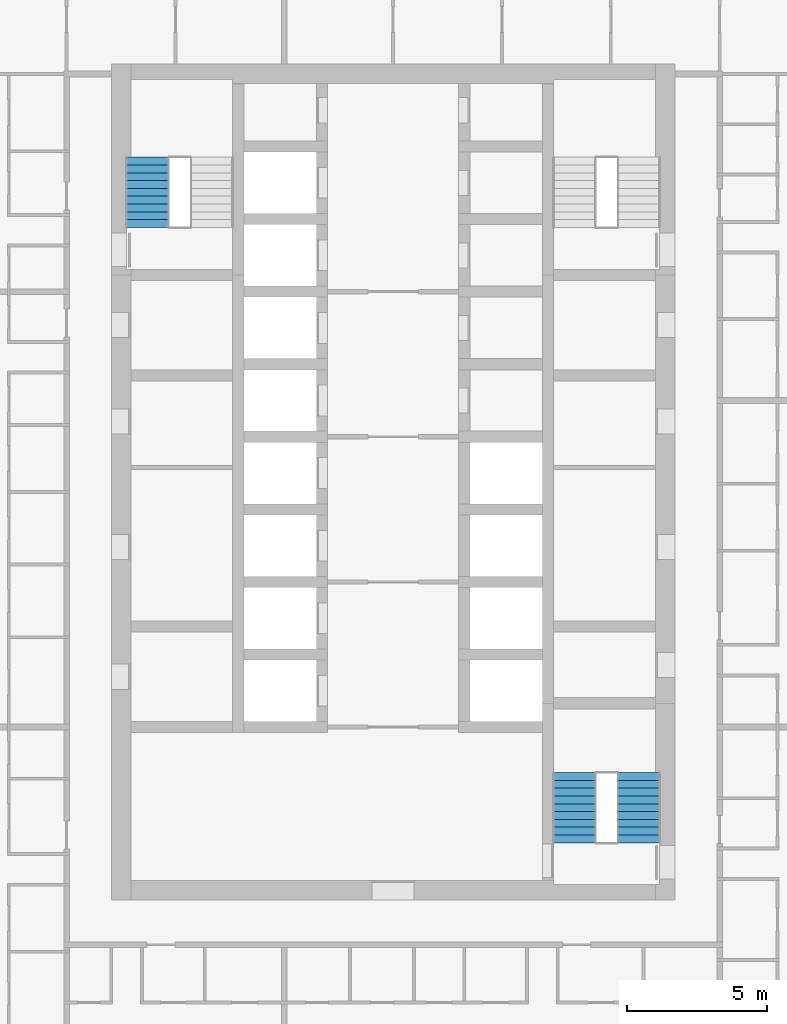
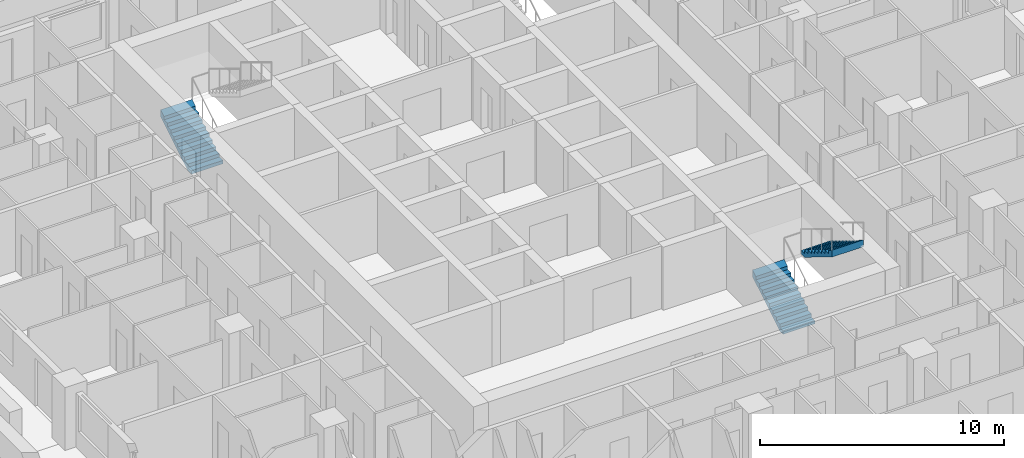
# One storey, part 14 of 17: 3 stair flights, 2 elements without a shape of their own.
"""IFC4 building model written with IfcOpenShell, lengths in metres."""

import ifcopenshell
import ifcopenshell.guid

model = None  # the IFC model being written
_history = None  # IfcOwnerHistory: only IFC2X3 demands one
_inside = {}  # id of a spatial element -> (the spatial element, [elements in it])
_under = {}  # id of a project, library or spatial element -> (it, [spatial elements below it])
_declared = {}  # id of a project -> (the project, [libraries it declares])
_typed = {}  # id of a type object -> (the type object, [elements of that type])
_made_of = {}  # id of a material, layer set ... -> (it, [elements and type objects made of it])


def new_model(schema):
    """Start an empty IFC model of exactly this schema.

    Asked for "IFC4X3", IfcOpenShell would pick the latest addendum, in which some entities
    have other attributes; the version numbers below select the first issue.
    IFC2X3 requires an IfcOwnerHistory on every rooted entity: one is made here for all.
    """
    global model, _history
    if schema == "IFC4X3":
        model = ifcopenshell.file(schema_version=(4, 3, 0, 0))
    else:
        model = ifcopenshell.file(schema=schema)
    _inside.clear()
    _under.clear()
    _declared.clear()
    _typed.clear()
    _made_of.clear()
    _history = None
    if model.schema == "IFC2X3":
        org = make("IfcOrganization", Name="unknown")
        user = make(
            "IfcPersonAndOrganization",
            ThePerson=make("IfcPerson", FamilyName="unknown"),
            TheOrganization=org,
        )
        app = make(
            "IfcApplication",
            ApplicationDeveloper=org,
            Version="unknown",
            ApplicationFullName="unknown",
            ApplicationIdentifier="unknown",
        )
        _history = make(
            "IfcOwnerHistory",
            OwningUser=user,
            OwningApplication=app,
            ChangeAction="ADDED",
            CreationDate=0,
        )
    return model


def make(cls, **values):
    """One entity of the class cls with the attributes given. An attribute that is None is left unset."""
    return model.create_entity(
        cls, **{name: value for name, value in values.items() if value is not None}
    )


def rooted(cls, **values):
    """An entity with a GlobalId (a new one), such as an element, a storey or a relation."""
    return make(cls, GlobalId=ifcopenshell.guid.new(), OwnerHistory=_history, **values)


def si_unit(unit_type, name, prefix=None):
    """IfcSIUnit, for example si_unit("LENGTHUNIT", "METRE", prefix="MILLI")."""
    return make("IfcSIUnit", UnitType=unit_type, Prefix=prefix, Name=name)


def assignment(units):
    """IfcUnitAssignment: the units of a project."""
    return None if units is None else make("IfcUnitAssignment", Units=units)


def point(xyz):
    """IfcCartesianPoint."""
    return None if xyz is None else make("IfcCartesianPoint", Coordinates=xyz)


def direction(xyz):
    """IfcDirection."""
    return None if xyz is None else make("IfcDirection", DirectionRatios=xyz)


def frame(location, z_axis=None, x_axis=None):
    """IfcAxis2Placement3D, a coordinate frame: its origin and axes. An axis left out is left unset."""
    return make(
        "IfcAxis2Placement3D",
        Location=point(location),
        Axis=direction(z_axis),
        RefDirection=direction(x_axis),
    )


def origin():
    """The frame at (0, 0, 0) with its axes left unset."""
    return frame((0.0, 0.0, 0.0))


def place(relative_to, where):
    """IfcLocalPlacement: puts the frame where relative to a parent placement (None: the world)."""
    return make(
        "IfcLocalPlacement", PlacementRelTo=relative_to, RelativePlacement=where
    )


def context(
    kind, dimensions, precision=None, world=None, true_north=None, identifier=None
):
    """IfcGeometricRepresentationContext, for example the 3D "Model" context."""
    return make(
        "IfcGeometricRepresentationContext",
        ContextIdentifier=identifier,
        ContextType=kind,
        CoordinateSpaceDimension=dimensions,
        Precision=precision,
        WorldCoordinateSystem=world,
        TrueNorth=true_north,
    )


def subcontext(parent, identifier, kind, view, scale=None):
    """IfcGeometricRepresentationSubContext, for example "Body" below "Model"."""
    return make(
        "IfcGeometricRepresentationSubContext",
        ContextIdentifier=identifier,
        ContextType=kind,
        ParentContext=parent,
        TargetScale=scale,
        TargetView=view,
    )


def project(units=None, contexts=None):
    """IfcProject with its units and contexts."""
    return rooted(
        "IfcProject",
        Name="project",
        RepresentationContexts=contexts,
        UnitsInContext=assignment(units),
    )


def spatial(cls, under=None, at=None, **own):
    """A site, building, storey or space (cls), placed at a placement, below another one or the project."""
    s = rooted(cls, ObjectPlacement=at, **own)
    if under is not None:
        _under.setdefault(under.id(), (under, []))[1].append(s)
    return s


def point_list(points):
    """IfcCartesianPointList2D or 3D."""
    cls = (
        "IfcCartesianPointList2D" if len(points[0]) == 2 else "IfcCartesianPointList3D"
    )
    return make(cls, CoordList=points)


def triangles(points, corners, closed=None, point_numbers=None):
    """IfcTriangulatedFaceSet: each triangle names its three corners, points numbered from 1."""
    return make(
        "IfcTriangulatedFaceSet",
        Coordinates=point_list(points),
        Closed=closed,
        CoordIndex=corners,
        PnIndex=point_numbers,
    )


def shape(context_of_items, identifier, shape_type, items):
    """IfcShapeRepresentation: the items that make up one representation, for example the "Body"."""
    return make(
        "IfcShapeRepresentation",
        ContextOfItems=context_of_items,
        RepresentationIdentifier=identifier,
        RepresentationType=shape_type,
        Items=items,
    )


def material(Name=None, Category=None):
    """IfcMaterial."""
    return make("IfcMaterial", Name=Name, Category=Category)


def made_of(thing, what):
    """Note that an element or type object is made of a material, layer set ...; save() writes the relation."""
    if what is not None:
        _made_of.setdefault(what.id(), (what, []))[1].append(thing)
    return thing


def type_object(cls, material=None, **own):
    """A type object (cls), such as IfcWallType, which elements share."""
    return made_of(rooted(cls, **own), material)


def element(
    cls,
    number,
    at=None,
    inside=None,
    cuts=None,
    type_object=None,
    material=None,
    context=None,
    identifier="Body",
    shape_type=None,
    held_by="IfcProductDefinitionShape",
    body=None,
    shapes=None,
    **own,
):
    """One element of the class cls, such as IfcWall. Its Tag is "e" and its number.

    at: its placement. inside: the storey or other place that contains it. cuts: it is an
    opening in that element (IfcRelVoidsElement). A single representation is given by context,
    identifier, shape_type and body (its items); several are given by shapes. held_by: the class
    of the entity that holds the representations. save() writes the other relations.
    """
    e = rooted(cls, Tag="e%d" % number, ObjectPlacement=at, **own)
    if body is not None:
        shapes = [shape(context, identifier, shape_type, body)]
    if shapes is not None:
        e.Representation = make(held_by, Representations=shapes)
    if inside is not None:
        _inside.setdefault(inside.id(), (inside, []))[1].append(e)
    if cuts is not None:
        rooted(
            "IfcRelVoidsElement", RelatingBuildingElement=cuts, RelatedOpeningElement=e
        )
    if type_object is not None:
        _typed.setdefault(type_object.id(), (type_object, []))[1].append(e)
    return made_of(e, material)


def aggregate(whole, parts):
    """IfcRelAggregates: a whole, such as a stair, and the parts it consists of."""
    return rooted("IfcRelAggregates", RelatingObject=whole, RelatedObjects=parts)


def save(model, path):
    """Write the relations noted so far, then the file.

    IfcRelAggregates (storeys below a building ...), IfcRelContainedInSpatialStructure (elements
    in a storey), IfcRelDefinesByType, IfcRelAssociatesMaterial and IfcRelDeclares: one each for
    every whole, place, type object, material and project.
    """
    for whole, parts in _under.values():
        aggregate(whole, parts)
    for where, things in _inside.values():
        rooted(
            "IfcRelContainedInSpatialStructure",
            RelatedElements=things,
            RelatingStructure=where,
        )
    for kind, things in _typed.values():
        rooted("IfcRelDefinesByType", RelatedObjects=things, RelatingType=kind)
    for what, things in _made_of.values():
        rooted("IfcRelAssociatesMaterial", RelatedObjects=things, RelatingMaterial=what)
    for by, libraries in _declared.values():
        rooted("IfcRelDeclares", RelatingContext=by, RelatedDefinitions=libraries)
    model.write(path)


model = new_model("IFC4")

# Units and contexts
model_context = context("Model", 3, precision=1e-05, world=origin(), true_north=direction((0.0, 1.0)))
body_context = subcontext(model_context, "Body", "Model", "MODEL_VIEW")
ifc_project = project(units=[si_unit("LENGTHUNIT", "METRE"), si_unit("AREAUNIT", "SQUARE_METRE"), si_unit("VOLUMEUNIT", "CUBIC_METRE"), si_unit("PLANEANGLEUNIT", "RADIAN"), si_unit("MASSUNIT", "GRAM", prefix="KILO")], contexts=[model_context])

# Site, building, storey
site_placement = place(None, origin())
site = spatial("IfcSite", under=ifc_project, at=site_placement, CompositionType="ELEMENT")
building_placement = place(site_placement, origin())
building = spatial("IfcBuilding", under=site, at=building_placement, Name="Ludao Terraces", CompositionType="ELEMENT")
storey_placement = place(building_placement, frame((0.0, 0.0, 51.199951171875)))
storey = spatial("IfcBuildingStorey", under=building, at=storey_placement, Name="L13", CompositionType="ELEMENT", Elevation=51.199951171875)

# Stair, stair flight
ifc_material = material(Name="Concrete C40", Category="concrete")
stair_type = type_object("IfcStairType", Name="INT Stair", PredefinedType="HALF_TURN_STAIR", material=ifc_material)
stair_1_placement = place(storey_placement, origin())
stair_1 = element("IfcStair", 1, at=stair_1_placement, inside=storey, type_object=stair_type, Name="EXIT STAIR 1", PredefinedType="HALF_TURN_STAIR")
stair_flight_type = type_object("IfcStairFlightType", Name="INT Stair flight", PredefinedType="STRAIGHT", material=ifc_material)
stair_flight_1_placement = place(storey_placement, frame((76.199951171875, 79.0, 0.0), z_axis=(0.0, 0.0, 1.0), x_axis=(0.0, 1.0, 0.0)))
stair_flight_1 = element("IfcStairFlight", 2, at=stair_flight_1_placement, type_object=stair_flight_type, Name="ST1 flight 1", NumberOfRisers=10, NumberOfTreads=9, PredefinedType="STRAIGHT", RiserHeight=0.17, TreadLength=0.28, context=body_context, shape_type="Tessellation", body=[
    triangles([(0.0, -0.75, 0.0), (0.0, -0.5, 0.0), (0.0, -0.25, 0.0), (0.0, 0.0, 0.0), (0.0, 0.25, 0.0), (0.0, 0.5, 0.0), (0.0, 0.75, 0.0), (0.0, -0.75, 0.169921875), (0.0, -0.5, 0.169921875), (0.0, -0.25, 0.169921875), (0.0, 0.0, 0.169921875), (0.0, 0.25, 0.169921875), (0.0, 0.5, 0.169921875), (0.0, 0.75, 0.169921875), (0.280029296875, -0.75, 0.169921875), (0.280029296875, -0.5, 0.169921875), (0.280029296875, -0.25, 0.169921875), (0.280029296875, 0.0, 0.169921875), (0.280029296875, 0.25, 0.169921875), (0.280029296875, 0.5, 0.169921875), (0.280029296875, 0.75, 0.169921875), (0.280029296875, -0.75, 0.340087890625), (0.280029296875, -0.5, 0.340087890625), (0.280029296875, -0.25, 0.340087890625), (0.280029296875, 0.0, 0.340087890625), (0.280029296875, 0.25, 0.340087890625), (0.280029296875, 0.5, 0.340087890625), (0.280029296875, 0.75, 0.340087890625), (0.56005859375, -0.75, 0.340087890625), (0.56005859375, -0.5, 0.340087890625), (0.56005859375, -0.25, 0.340087890625), (0.56005859375, 0.0, 0.340087890625), (0.56005859375, 0.25, 0.340087890625), (0.56005859375, 0.5, 0.340087890625), (0.56005859375, 0.75, 0.340087890625), (0.56005859375, -0.75, 0.510009765625), (0.56005859375, -0.5, 0.510009765625), (0.56005859375, -0.25, 0.510009765625), (0.56005859375, 0.0, 0.510009765625), (0.56005859375, 0.25, 0.510009765625), (0.56005859375, 0.5, 0.510009765625), (0.56005859375, 0.75, 0.510009765625), (0.840087890625, -0.75, 0.510009765625), (0.840087890625, -0.5, 0.510009765625), (0.840087890625, -0.25, 0.510009765625), (0.840087890625, 0.0, 0.510009765625), (0.840087890625, 0.25, 0.510009765625), (0.840087890625, 0.5, 0.510009765625), (0.840087890625, 0.75, 0.510009765625), (0.840087890625, -0.75, 0.679931640625), (0.840087890625, -0.5, 0.679931640625), (0.840087890625, -0.25, 0.679931640625), (0.840087890625, 0.0, 0.679931640625), (0.840087890625, 0.25, 0.679931640625), (0.840087890625, 0.5, 0.679931640625), (0.840087890625, 0.75, 0.679931640625), (1.1201171875, -0.75, 0.679931640625), (1.1201171875, -0.5, 0.679931640625), (1.1201171875, -0.25, 0.679931640625), (1.1201171875, 0.0, 0.679931640625), (1.1201171875, 0.25, 0.679931640625), (1.1201171875, 0.5, 0.679931640625), (1.1201171875, 0.75, 0.679931640625), (1.1201171875, -0.75, 0.85009765625), (1.1201171875, -0.5, 0.85009765625), (1.1201171875, -0.25, 0.85009765625), (1.1201171875, 0.0, 0.85009765625), (1.1201171875, 0.25, 0.85009765625), (1.1201171875, 0.5, 0.85009765625), (1.1201171875, 0.75, 0.85009765625), (1.39990234375, -0.75, 0.85009765625), (1.39990234375, -0.5, 0.85009765625), (1.39990234375, -0.25, 0.85009765625), (1.39990234375, 0.0, 0.85009765625), (1.39990234375, 0.25, 0.85009765625), (1.39990234375, 0.5, 0.85009765625), (1.39990234375, 0.75, 0.85009765625), (1.39990234375, -0.75, 1.02001953125), (1.39990234375, -0.5, 1.02001953125), (1.39990234375, -0.25, 1.02001953125), (1.39990234375, 0.0, 1.02001953125), (1.39990234375, 0.25, 1.02001953125), (1.39990234375, 0.5, 1.02001953125), (1.39990234375, 0.75, 1.02001953125), (1.679931640625, -0.75, 1.02001953125), (1.679931640625, -0.5, 1.02001953125), (1.679931640625, -0.25, 1.02001953125), (1.679931640625, 0.0, 1.02001953125), (1.679931640625, 0.25, 1.02001953125), (1.679931640625, 0.5, 1.02001953125), (1.679931640625, 0.75, 1.02001953125), (1.679931640625, -0.75, 1.18994140625), (1.679931640625, -0.5, 1.18994140625), (1.679931640625, -0.25, 1.18994140625), (1.679931640625, 0.0, 1.18994140625), (1.679931640625, 0.25, 1.18994140625), (1.679931640625, 0.5, 1.18994140625), (1.679931640625, 0.75, 1.18994140625), (1.9599609375, -0.75, 1.18994140625), (1.9599609375, -0.5, 1.18994140625), (1.9599609375, -0.25, 1.18994140625), (1.9599609375, 0.0, 1.18994140625), (1.9599609375, 0.25, 1.18994140625), (1.9599609375, 0.5, 1.18994140625), (1.9599609375, 0.75, 1.18994140625), (1.9599609375, -0.75, 1.360107421875), (1.9599609375, -0.5, 1.360107421875), (1.9599609375, -0.25, 1.360107421875), (1.9599609375, 0.0, 1.360107421875), (1.9599609375, 0.25, 1.360107421875), (1.9599609375, 0.5, 1.360107421875), (1.9599609375, 0.75, 1.360107421875), (2.239990234375, -0.75, 1.360107421875), (2.239990234375, -0.5, 1.360107421875), (2.239990234375, -0.25, 1.360107421875), (2.239990234375, 0.0, 1.360107421875), (2.239990234375, 0.25, 1.360107421875), (2.239990234375, 0.5, 1.360107421875), (2.239990234375, 0.75, 1.360107421875), (2.239990234375, -0.75, 1.530029296875), (2.239990234375, -0.5, 1.530029296875), (2.239990234375, -0.25, 1.530029296875), (2.239990234375, 0.0, 1.530029296875), (2.239990234375, 0.25, 1.530029296875), (2.239990234375, 0.5, 1.530029296875), (2.239990234375, 0.75, 1.530029296875), (2.52001953125, -0.75, 1.699951171875), (2.52001953125, -0.5, 1.699951171875), (2.52001953125, -0.25, 1.699951171875), (2.52001953125, 0.0, 1.699951171875), (2.52001953125, 0.25, 1.699951171875), (2.52001953125, 0.5, 1.699951171875), (2.52001953125, 0.75, 1.699951171875), (2.52001953125, -0.75, 1.354736328125), (2.52001953125, -0.5, 1.354736328125), (2.52001953125, -0.25, 1.354736328125), (2.52001953125, 0.0, 1.354736328125), (2.52001953125, 0.25, 1.354736328125), (2.52001953125, 0.5, 1.354736328125), (2.52001953125, 0.75, 1.354736328125), (0.288818359375, -0.75, 0.0), (0.288818359375, -0.5, 0.0), (0.288818359375, -0.25, 0.0), (0.288818359375, 0.0, 0.0), (0.288818359375, 0.25, 0.0), (0.288818359375, 0.5, 0.0), (0.288818359375, 0.75, 0.0)], [[1, 141, 134], [7, 140, 147], [134, 127, 120], [140, 126, 133], [134, 120, 113], [140, 119, 126], [134, 113, 106], [140, 112, 119], [134, 106, 99], [140, 105, 112], [99, 92, 85], [105, 91, 98], [134, 99, 85], [140, 91, 105], [85, 78, 71], [91, 77, 84], [134, 85, 71], [140, 77, 91], [71, 64, 57], [77, 63, 70], [134, 71, 57], [140, 63, 77], [57, 50, 43], [63, 49, 56], [134, 57, 43], [140, 49, 63], [43, 36, 29], [49, 35, 42], [134, 43, 29], [140, 35, 49], [29, 22, 15], [35, 21, 28], [134, 29, 15], [140, 21, 35], [1, 134, 15], [7, 21, 140], [15, 8, 1], [21, 7, 14], [1, 9, 2], [1, 8, 9], [2, 10, 3], [2, 9, 10], [3, 11, 4], [3, 10, 11], [4, 12, 5], [4, 11, 12], [5, 13, 6], [5, 12, 13], [6, 14, 7], [6, 13, 14], [8, 16, 9], [8, 15, 16], [9, 17, 10], [9, 16, 17], [10, 18, 11], [10, 17, 18], [11, 19, 12], [11, 18, 19], [12, 20, 13], [12, 19, 20], [13, 21, 14], [13, 20, 21], [15, 23, 16], [15, 22, 23], [16, 24, 17], [16, 23, 24], [17, 25, 18], [17, 24, 25], [18, 26, 19], [18, 25, 26], [19, 27, 20], [19, 26, 27], [20, 28, 21], [20, 27, 28], [22, 30, 23], [22, 29, 30], [23, 31, 24], [23, 30, 31], [24, 32, 25], [24, 31, 32], [25, 33, 26], [25, 32, 33], [26, 34, 27], [26, 33, 34], [27, 35, 28], [27, 34, 35], [29, 37, 30], [29, 36, 37], [30, 38, 31], [30, 37, 38], [31, 39, 32], [31, 38, 39], [32, 40, 33], [32, 39, 40], [33, 41, 34], [33, 40, 41], [34, 42, 35], [34, 41, 42], [36, 44, 37], [36, 43, 44], [37, 45, 38], [37, 44, 45], [38, 46, 39], [38, 45, 46], [39, 47, 40], [39, 46, 47], [40, 48, 41], [40, 47, 48], [41, 49, 42], [41, 48, 49], [43, 51, 44], [43, 50, 51], [44, 52, 45], [44, 51, 52], [45, 53, 46], [45, 52, 53], [46, 54, 47], [46, 53, 54], [47, 55, 48], [47, 54, 55], [48, 56, 49], [48, 55, 56], [50, 58, 51], [50, 57, 58], [51, 59, 52], [51, 58, 59], [52, 60, 53], [52, 59, 60], [53, 61, 54], [53, 60, 61], [54, 62, 55], [54, 61, 62], [55, 63, 56], [55, 62, 63], [57, 65, 58], [57, 64, 65], [58, 66, 59], [58, 65, 66], [59, 67, 60], [59, 66, 67], [60, 68, 61], [60, 67, 68], [61, 69, 62], [61, 68, 69], [62, 70, 63], [62, 69, 70], [64, 72, 65], [64, 71, 72], [65, 73, 66], [65, 72, 73], [66, 74, 67], [66, 73, 74], [67, 75, 68], [67, 74, 75], [68, 76, 69], [68, 75, 76], [69, 77, 70], [69, 76, 77], [71, 79, 72], [71, 78, 79], [72, 80, 73], [72, 79, 80], [73, 81, 74], [73, 80, 81], [74, 82, 75], [74, 81, 82], [75, 83, 76], [75, 82, 83], [76, 84, 77], [76, 83, 84], [78, 86, 79], [78, 85, 86], [79, 87, 80], [79, 86, 87], [80, 88, 81], [80, 87, 88], [81, 89, 82], [81, 88, 89], [82, 90, 83], [82, 89, 90], [83, 91, 84], [83, 90, 91], [85, 93, 86], [85, 92, 93], [86, 94, 87], [86, 93, 94], [87, 95, 88], [87, 94, 95], [88, 96, 89], [88, 95, 96], [89, 97, 90], [89, 96, 97], [90, 98, 91], [90, 97, 98], [92, 100, 93], [92, 99, 100], [93, 101, 94], [93, 100, 101], [94, 102, 95], [94, 101, 102], [95, 103, 96], [95, 102, 103], [96, 104, 97], [96, 103, 104], [97, 105, 98], [97, 104, 105], [99, 107, 100], [99, 106, 107], [100, 108, 101], [100, 107, 108], [101, 109, 102], [101, 108, 109], [102, 110, 103], [102, 109, 110], [103, 111, 104], [103, 110, 111], [104, 112, 105], [104, 111, 112], [106, 114, 107], [106, 113, 114], [107, 115, 108], [107, 114, 115], [108, 116, 109], [108, 115, 116], [109, 117, 110], [109, 116, 117], [110, 118, 111], [110, 117, 118], [111, 119, 112], [111, 118, 119], [113, 121, 114], [113, 120, 121], [114, 122, 115], [114, 121, 122], [115, 123, 116], [115, 122, 123], [116, 124, 117], [116, 123, 124], [117, 125, 118], [117, 124, 125], [118, 126, 119], [118, 125, 126], [120, 128, 121], [120, 127, 128], [121, 129, 122], [121, 128, 129], [122, 130, 123], [122, 129, 130], [123, 131, 124], [123, 130, 131], [124, 132, 125], [124, 131, 132], [125, 133, 126], [125, 132, 133], [127, 135, 128], [127, 134, 135], [128, 136, 129], [128, 135, 136], [129, 137, 130], [129, 136, 137], [130, 138, 131], [130, 137, 138], [131, 139, 132], [131, 138, 139], [132, 140, 133], [132, 139, 140], [134, 142, 135], [134, 141, 142], [135, 143, 136], [135, 142, 143], [136, 144, 137], [136, 143, 144], [137, 145, 138], [137, 144, 145], [138, 146, 139], [138, 145, 146], [139, 147, 140], [139, 146, 147], [141, 2, 142], [141, 1, 2], [142, 3, 143], [142, 2, 3], [143, 4, 144], [143, 3, 4], [144, 5, 145], [144, 4, 5], [145, 6, 146], [145, 5, 6], [146, 7, 147], [146, 6, 7]], closed=True),
])
aggregate(stair_1, [stair_flight_1])

# Stair, stair flights
stair_2_placement = place(storey_placement, origin())
stair_2 = element("IfcStair", 3, at=stair_2_placement, inside=storey, type_object=stair_type, Name="EXIT STAIR 3", PredefinedType="HALF_TURN_STAIR")
stair_flight_2_placement = place(storey_placement, frame((91.5, 56.949951171875, 0.0), z_axis=(0.0, 0.0, 1.0), x_axis=(0.0, 1.0, 0.0)))
stair_flight_2 = element("IfcStairFlight", 4, at=stair_flight_2_placement, type_object=stair_flight_type, Name="ST3 flight 1", NumberOfRisers=10, NumberOfTreads=9, PredefinedType="STRAIGHT", RiserHeight=0.17, TreadLength=0.28, context=body_context, shape_type="Tessellation", body=[
    triangles([(0.0, -0.75, 0.0), (0.0, -0.5, 0.0), (0.0, -0.25, 0.0), (0.0, 0.0, 0.0), (0.0, 0.25, 0.0), (0.0, 0.5, 0.0), (0.0, 0.75, 0.0), (0.0, -0.75, 0.169921875), (0.0, -0.5, 0.169921875), (0.0, -0.25, 0.169921875), (0.0, 0.0, 0.169921875), (0.0, 0.25, 0.169921875), (0.0, 0.5, 0.169921875), (0.0, 0.75, 0.169921875), (0.280029296875, -0.75, 0.169921875), (0.280029296875, -0.5, 0.169921875), (0.280029296875, -0.25, 0.169921875), (0.280029296875, 0.0, 0.169921875), (0.280029296875, 0.25, 0.169921875), (0.280029296875, 0.5, 0.169921875), (0.280029296875, 0.75, 0.169921875), (0.280029296875, -0.75, 0.340087890625), (0.280029296875, -0.5, 0.340087890625), (0.280029296875, -0.25, 0.340087890625), (0.280029296875, 0.0, 0.340087890625), (0.280029296875, 0.25, 0.340087890625), (0.280029296875, 0.5, 0.340087890625), (0.280029296875, 0.75, 0.340087890625), (0.56005859375, -0.75, 0.340087890625), (0.56005859375, -0.5, 0.340087890625), (0.56005859375, -0.25, 0.340087890625), (0.56005859375, 0.0, 0.340087890625), (0.56005859375, 0.25, 0.340087890625), (0.56005859375, 0.5, 0.340087890625), (0.56005859375, 0.75, 0.340087890625), (0.56005859375, -0.75, 0.510009765625), (0.56005859375, -0.5, 0.510009765625), (0.56005859375, -0.25, 0.510009765625), (0.56005859375, 0.0, 0.510009765625), (0.56005859375, 0.25, 0.510009765625), (0.56005859375, 0.5, 0.510009765625), (0.56005859375, 0.75, 0.510009765625), (0.840087890625, -0.75, 0.510009765625), (0.840087890625, -0.5, 0.510009765625), (0.840087890625, -0.25, 0.510009765625), (0.840087890625, 0.0, 0.510009765625), (0.840087890625, 0.25, 0.510009765625), (0.840087890625, 0.5, 0.510009765625), (0.840087890625, 0.75, 0.510009765625), (0.840087890625, -0.75, 0.679931640625), (0.840087890625, -0.5, 0.679931640625), (0.840087890625, -0.25, 0.679931640625), (0.840087890625, 0.0, 0.679931640625), (0.840087890625, 0.25, 0.679931640625), (0.840087890625, 0.5, 0.679931640625), (0.840087890625, 0.75, 0.679931640625), (1.1201171875, -0.75, 0.679931640625), (1.1201171875, -0.5, 0.679931640625), (1.1201171875, -0.25, 0.679931640625), (1.1201171875, 0.0, 0.679931640625), (1.1201171875, 0.25, 0.679931640625), (1.1201171875, 0.5, 0.679931640625), (1.1201171875, 0.75, 0.679931640625), (1.1201171875, -0.75, 0.85009765625), (1.1201171875, -0.5, 0.85009765625), (1.1201171875, -0.25, 0.85009765625), (1.1201171875, 0.0, 0.85009765625), (1.1201171875, 0.25, 0.85009765625), (1.1201171875, 0.5, 0.85009765625), (1.1201171875, 0.75, 0.85009765625), (1.39990234375, -0.75, 0.85009765625), (1.39990234375, -0.5, 0.85009765625), (1.39990234375, -0.25, 0.85009765625), (1.39990234375, 0.0, 0.85009765625), (1.39990234375, 0.25, 0.85009765625), (1.39990234375, 0.5, 0.85009765625), (1.39990234375, 0.75, 0.85009765625), (1.39990234375, -0.75, 1.02001953125), (1.39990234375, -0.5, 1.02001953125), (1.39990234375, -0.25, 1.02001953125), (1.39990234375, 0.0, 1.02001953125), (1.39990234375, 0.25, 1.02001953125), (1.39990234375, 0.5, 1.02001953125), (1.39990234375, 0.75, 1.02001953125), (1.679931640625, -0.75, 1.02001953125), (1.679931640625, -0.5, 1.02001953125), (1.679931640625, -0.25, 1.02001953125), (1.679931640625, 0.0, 1.02001953125), (1.679931640625, 0.25, 1.02001953125), (1.679931640625, 0.5, 1.02001953125), (1.679931640625, 0.75, 1.02001953125), (1.679931640625, -0.75, 1.18994140625), (1.679931640625, -0.5, 1.18994140625), (1.679931640625, -0.25, 1.18994140625), (1.679931640625, 0.0, 1.18994140625), (1.679931640625, 0.25, 1.18994140625), (1.679931640625, 0.5, 1.18994140625), (1.679931640625, 0.75, 1.18994140625), (1.9599609375, -0.75, 1.18994140625), (1.9599609375, -0.5, 1.18994140625), (1.9599609375, -0.25, 1.18994140625), (1.9599609375, 0.0, 1.18994140625), (1.9599609375, 0.25, 1.18994140625), (1.9599609375, 0.5, 1.18994140625), (1.9599609375, 0.75, 1.18994140625), (1.9599609375, -0.75, 1.360107421875), (1.9599609375, -0.5, 1.360107421875), (1.9599609375, -0.25, 1.360107421875), (1.9599609375, 0.0, 1.360107421875), (1.9599609375, 0.25, 1.360107421875), (1.9599609375, 0.5, 1.360107421875), (1.9599609375, 0.75, 1.360107421875), (2.239990234375, -0.75, 1.360107421875), (2.239990234375, -0.5, 1.360107421875), (2.239990234375, -0.25, 1.360107421875), (2.239990234375, 0.0, 1.360107421875), (2.239990234375, 0.25, 1.360107421875), (2.239990234375, 0.5, 1.360107421875), (2.239990234375, 0.75, 1.360107421875), (2.239990234375, -0.75, 1.530029296875), (2.239990234375, -0.5, 1.530029296875), (2.239990234375, -0.25, 1.530029296875), (2.239990234375, 0.0, 1.530029296875), (2.239990234375, 0.25, 1.530029296875), (2.239990234375, 0.5, 1.530029296875), (2.239990234375, 0.75, 1.530029296875), (2.52001953125, -0.75, 1.699951171875), (2.52001953125, -0.5, 1.699951171875), (2.52001953125, -0.25, 1.699951171875), (2.52001953125, 0.0, 1.699951171875), (2.52001953125, 0.25, 1.699951171875), (2.52001953125, 0.5, 1.699951171875), (2.52001953125, 0.75, 1.699951171875), (2.52001953125, -0.75, 1.354736328125), (2.52001953125, -0.5, 1.354736328125), (2.52001953125, -0.25, 1.354736328125), (2.52001953125, 0.0, 1.354736328125), (2.52001953125, 0.25, 1.354736328125), (2.52001953125, 0.5, 1.354736328125), (2.52001953125, 0.75, 1.354736328125), (0.288818359375, -0.75, 0.0), (0.288818359375, -0.5, 0.0), (0.288818359375, -0.25, 0.0), (0.288818359375, 0.0, 0.0), (0.288818359375, 0.25, 0.0), (0.288818359375, 0.5, 0.0), (0.288818359375, 0.75, 0.0)], [[1, 141, 134], [7, 140, 147], [134, 127, 120], [140, 126, 133], [134, 120, 113], [140, 119, 126], [134, 113, 106], [140, 112, 119], [134, 106, 99], [140, 105, 112], [99, 92, 85], [105, 91, 98], [134, 99, 85], [140, 91, 105], [85, 78, 71], [91, 77, 84], [134, 85, 71], [140, 77, 91], [71, 64, 57], [77, 63, 70], [134, 71, 57], [140, 63, 77], [57, 50, 43], [63, 49, 56], [134, 57, 43], [140, 49, 63], [43, 36, 29], [49, 35, 42], [134, 43, 29], [140, 35, 49], [29, 22, 15], [35, 21, 28], [134, 29, 15], [140, 21, 35], [1, 134, 15], [7, 21, 140], [15, 8, 1], [21, 7, 14], [1, 9, 2], [1, 8, 9], [2, 10, 3], [2, 9, 10], [3, 11, 4], [3, 10, 11], [4, 12, 5], [4, 11, 12], [5, 13, 6], [5, 12, 13], [6, 14, 7], [6, 13, 14], [8, 16, 9], [8, 15, 16], [9, 17, 10], [9, 16, 17], [10, 18, 11], [10, 17, 18], [11, 19, 12], [11, 18, 19], [12, 20, 13], [12, 19, 20], [13, 21, 14], [13, 20, 21], [15, 23, 16], [15, 22, 23], [16, 24, 17], [16, 23, 24], [17, 25, 18], [17, 24, 25], [18, 26, 19], [18, 25, 26], [19, 27, 20], [19, 26, 27], [20, 28, 21], [20, 27, 28], [22, 30, 23], [22, 29, 30], [23, 31, 24], [23, 30, 31], [24, 32, 25], [24, 31, 32], [25, 33, 26], [25, 32, 33], [26, 34, 27], [26, 33, 34], [27, 35, 28], [27, 34, 35], [29, 37, 30], [29, 36, 37], [30, 38, 31], [30, 37, 38], [31, 39, 32], [31, 38, 39], [32, 40, 33], [32, 39, 40], [33, 41, 34], [33, 40, 41], [34, 42, 35], [34, 41, 42], [36, 44, 37], [36, 43, 44], [37, 45, 38], [37, 44, 45], [38, 46, 39], [38, 45, 46], [39, 47, 40], [39, 46, 47], [40, 48, 41], [40, 47, 48], [41, 49, 42], [41, 48, 49], [43, 51, 44], [43, 50, 51], [44, 52, 45], [44, 51, 52], [45, 53, 46], [45, 52, 53], [46, 54, 47], [46, 53, 54], [47, 55, 48], [47, 54, 55], [48, 56, 49], [48, 55, 56], [50, 58, 51], [50, 57, 58], [51, 59, 52], [51, 58, 59], [52, 60, 53], [52, 59, 60], [53, 61, 54], [53, 60, 61], [54, 62, 55], [54, 61, 62], [55, 63, 56], [55, 62, 63], [57, 65, 58], [57, 64, 65], [58, 66, 59], [58, 65, 66], [59, 67, 60], [59, 66, 67], [60, 68, 61], [60, 67, 68], [61, 69, 62], [61, 68, 69], [62, 70, 63], [62, 69, 70], [64, 72, 65], [64, 71, 72], [65, 73, 66], [65, 72, 73], [66, 74, 67], [66, 73, 74], [67, 75, 68], [67, 74, 75], [68, 76, 69], [68, 75, 76], [69, 77, 70], [69, 76, 77], [71, 79, 72], [71, 78, 79], [72, 80, 73], [72, 79, 80], [73, 81, 74], [73, 80, 81], [74, 82, 75], [74, 81, 82], [75, 83, 76], [75, 82, 83], [76, 84, 77], [76, 83, 84], [78, 86, 79], [78, 85, 86], [79, 87, 80], [79, 86, 87], [80, 88, 81], [80, 87, 88], [81, 89, 82], [81, 88, 89], [82, 90, 83], [82, 89, 90], [83, 91, 84], [83, 90, 91], [85, 93, 86], [85, 92, 93], [86, 94, 87], [86, 93, 94], [87, 95, 88], [87, 94, 95], [88, 96, 89], [88, 95, 96], [89, 97, 90], [89, 96, 97], [90, 98, 91], [90, 97, 98], [92, 100, 93], [92, 99, 100], [93, 101, 94], [93, 100, 101], [94, 102, 95], [94, 101, 102], [95, 103, 96], [95, 102, 103], [96, 104, 97], [96, 103, 104], [97, 105, 98], [97, 104, 105], [99, 107, 100], [99, 106, 107], [100, 108, 101], [100, 107, 108], [101, 109, 102], [101, 108, 109], [102, 110, 103], [102, 109, 110], [103, 111, 104], [103, 110, 111], [104, 112, 105], [104, 111, 112], [106, 114, 107], [106, 113, 114], [107, 115, 108], [107, 114, 115], [108, 116, 109], [108, 115, 116], [109, 117, 110], [109, 116, 117], [110, 118, 111], [110, 117, 118], [111, 119, 112], [111, 118, 119], [113, 121, 114], [113, 120, 121], [114, 122, 115], [114, 121, 122], [115, 123, 116], [115, 122, 123], [116, 124, 117], [116, 123, 124], [117, 125, 118], [117, 124, 125], [118, 126, 119], [118, 125, 126], [120, 128, 121], [120, 127, 128], [121, 129, 122], [121, 128, 129], [122, 130, 123], [122, 129, 130], [123, 131, 124], [123, 130, 131], [124, 132, 125], [124, 131, 132], [125, 133, 126], [125, 132, 133], [127, 135, 128], [127, 134, 135], [128, 136, 129], [128, 135, 136], [129, 137, 130], [129, 136, 137], [130, 138, 131], [130, 137, 138], [131, 139, 132], [131, 138, 139], [132, 140, 133], [132, 139, 140], [134, 142, 135], [134, 141, 142], [135, 143, 136], [135, 142, 143], [136, 144, 137], [136, 143, 144], [137, 145, 138], [137, 144, 145], [138, 146, 139], [138, 145, 146], [139, 147, 140], [139, 146, 147], [141, 2, 142], [141, 1, 2], [142, 3, 143], [142, 2, 3], [143, 4, 144], [143, 3, 4], [144, 5, 145], [144, 4, 5], [145, 6, 146], [145, 5, 6], [146, 7, 147], [146, 6, 7]], closed=True),
])
stair_flight_3_placement = place(storey_placement, frame((93.800048828125, 59.469970703125, 1.699951171875), z_axis=(0.0, 0.0, 1.0), x_axis=(0.0, -1.0, 0.0)))
stair_flight_3 = element("IfcStairFlight", 5, at=stair_flight_3_placement, type_object=stair_flight_type, Name="ST3 flight 2", NumberOfRisers=10, NumberOfTreads=9, PredefinedType="STRAIGHT", RiserHeight=0.17, TreadLength=0.28, context=body_context, shape_type="Tessellation", body=[
    triangles([(0.0, -0.75, 0.0), (0.0, -0.5, 0.0), (0.0, -0.25, 0.0), (0.0, 0.0, 0.0), (0.0, 0.25, 0.0), (0.0, 0.5, 0.0), (0.0, 0.75, 0.0), (0.0, -0.75, 0.169921875), (0.0, -0.5, 0.169921875), (0.0, -0.25, 0.169921875), (0.0, 0.0, 0.169921875), (0.0, 0.25, 0.169921875), (0.0, 0.5, 0.169921875), (0.0, 0.75, 0.169921875), (0.280029296875, -0.75, 0.169921875), (0.280029296875, -0.5, 0.169921875), (0.280029296875, -0.25, 0.169921875), (0.280029296875, 0.0, 0.169921875), (0.280029296875, 0.25, 0.169921875), (0.280029296875, 0.5, 0.169921875), (0.280029296875, 0.75, 0.169921875), (0.280029296875, -0.75, 0.340087890625), (0.280029296875, -0.5, 0.340087890625), (0.280029296875, -0.25, 0.340087890625), (0.280029296875, 0.0, 0.340087890625), (0.280029296875, 0.25, 0.340087890625), (0.280029296875, 0.5, 0.340087890625), (0.280029296875, 0.75, 0.340087890625), (0.56005859375, -0.75, 0.340087890625), (0.56005859375, -0.5, 0.340087890625), (0.56005859375, -0.25, 0.340087890625), (0.56005859375, 0.0, 0.340087890625), (0.56005859375, 0.25, 0.340087890625), (0.56005859375, 0.5, 0.340087890625), (0.56005859375, 0.75, 0.340087890625), (0.56005859375, -0.75, 0.510009765625), (0.56005859375, -0.5, 0.510009765625), (0.56005859375, -0.25, 0.510009765625), (0.56005859375, 0.0, 0.510009765625), (0.56005859375, 0.25, 0.510009765625), (0.56005859375, 0.5, 0.510009765625), (0.56005859375, 0.75, 0.510009765625), (0.840087890625, -0.75, 0.510009765625), (0.840087890625, -0.5, 0.510009765625), (0.840087890625, -0.25, 0.510009765625), (0.840087890625, 0.0, 0.510009765625), (0.840087890625, 0.25, 0.510009765625), (0.840087890625, 0.5, 0.510009765625), (0.840087890625, 0.75, 0.510009765625), (0.840087890625, -0.75, 0.679931640625), (0.840087890625, -0.5, 0.679931640625), (0.840087890625, -0.25, 0.679931640625), (0.840087890625, 0.0, 0.679931640625), (0.840087890625, 0.25, 0.679931640625), (0.840087890625, 0.5, 0.679931640625), (0.840087890625, 0.75, 0.679931640625), (1.1201171875, -0.75, 0.679931640625), (1.1201171875, -0.5, 0.679931640625), (1.1201171875, -0.25, 0.679931640625), (1.1201171875, 0.0, 0.679931640625), (1.1201171875, 0.25, 0.679931640625), (1.1201171875, 0.5, 0.679931640625), (1.1201171875, 0.75, 0.679931640625), (1.1201171875, -0.75, 0.85009765625), (1.1201171875, -0.5, 0.85009765625), (1.1201171875, -0.25, 0.85009765625), (1.1201171875, 0.0, 0.85009765625), (1.1201171875, 0.25, 0.85009765625), (1.1201171875, 0.5, 0.85009765625), (1.1201171875, 0.75, 0.85009765625), (1.39990234375, -0.75, 0.85009765625), (1.39990234375, -0.5, 0.85009765625), (1.39990234375, -0.25, 0.85009765625), (1.39990234375, 0.0, 0.85009765625), (1.39990234375, 0.25, 0.85009765625), (1.39990234375, 0.5, 0.85009765625), (1.39990234375, 0.75, 0.85009765625), (1.39990234375, -0.75, 1.02001953125), (1.39990234375, -0.5, 1.02001953125), (1.39990234375, -0.25, 1.02001953125), (1.39990234375, 0.0, 1.02001953125), (1.39990234375, 0.25, 1.02001953125), (1.39990234375, 0.5, 1.02001953125), (1.39990234375, 0.75, 1.02001953125), (1.679931640625, -0.75, 1.02001953125), (1.679931640625, -0.5, 1.02001953125), (1.679931640625, -0.25, 1.02001953125), (1.679931640625, 0.0, 1.02001953125), (1.679931640625, 0.25, 1.02001953125), (1.679931640625, 0.5, 1.02001953125), (1.679931640625, 0.75, 1.02001953125), (1.679931640625, -0.75, 1.18994140625), (1.679931640625, -0.5, 1.18994140625), (1.679931640625, -0.25, 1.18994140625), (1.679931640625, 0.0, 1.18994140625), (1.679931640625, 0.25, 1.18994140625), (1.679931640625, 0.5, 1.18994140625), (1.679931640625, 0.75, 1.18994140625), (1.9599609375, -0.75, 1.18994140625), (1.9599609375, -0.5, 1.18994140625), (1.9599609375, -0.25, 1.18994140625), (1.9599609375, 0.0, 1.18994140625), (1.9599609375, 0.25, 1.18994140625), (1.9599609375, 0.5, 1.18994140625), (1.9599609375, 0.75, 1.18994140625), (1.9599609375, -0.75, 1.360107421875), (1.9599609375, -0.5, 1.360107421875), (1.9599609375, -0.25, 1.360107421875), (1.9599609375, 0.0, 1.360107421875), (1.9599609375, 0.25, 1.360107421875), (1.9599609375, 0.5, 1.360107421875), (1.9599609375, 0.75, 1.360107421875), (2.239990234375, -0.75, 1.360107421875), (2.239990234375, -0.5, 1.360107421875), (2.239990234375, -0.25, 1.360107421875), (2.239990234375, 0.0, 1.360107421875), (2.239990234375, 0.25, 1.360107421875), (2.239990234375, 0.5, 1.360107421875), (2.239990234375, 0.75, 1.360107421875), (2.239990234375, -0.75, 1.530029296875), (2.239990234375, -0.5, 1.530029296875), (2.239990234375, -0.25, 1.530029296875), (2.239990234375, 0.0, 1.530029296875), (2.239990234375, 0.25, 1.530029296875), (2.239990234375, 0.5, 1.530029296875), (2.239990234375, 0.75, 1.530029296875), (2.52001953125, -0.75, 1.699951171875), (2.52001953125, -0.5, 1.699951171875), (2.52001953125, -0.25, 1.699951171875), (2.52001953125, 0.0, 1.699951171875), (2.52001953125, 0.25, 1.699951171875), (2.52001953125, 0.5, 1.699951171875), (2.52001953125, 0.75, 1.699951171875), (2.52001953125, -0.75, 1.354736328125), (2.52001953125, -0.5, 1.354736328125), (2.52001953125, -0.25, 1.354736328125), (2.52001953125, 0.0, 1.354736328125), (2.52001953125, 0.25, 1.354736328125), (2.52001953125, 0.5, 1.354736328125), (2.52001953125, 0.75, 1.354736328125), (0.288818359375, -0.75, 0.0), (0.288818359375, -0.5, 0.0), (0.288818359375, -0.25, 0.0), (0.288818359375, 0.0, 0.0), (0.288818359375, 0.25, 0.0), (0.288818359375, 0.5, 0.0), (0.288818359375, 0.75, 0.0)], [[1, 141, 134], [7, 140, 147], [134, 127, 120], [140, 126, 133], [134, 120, 113], [140, 119, 126], [134, 113, 106], [140, 112, 119], [134, 106, 99], [140, 105, 112], [99, 92, 85], [105, 91, 98], [134, 99, 85], [140, 91, 105], [85, 78, 71], [91, 77, 84], [134, 85, 71], [140, 77, 91], [71, 64, 57], [77, 63, 70], [134, 71, 57], [140, 63, 77], [57, 50, 43], [63, 49, 56], [134, 57, 43], [140, 49, 63], [43, 36, 29], [49, 35, 42], [134, 43, 29], [140, 35, 49], [29, 22, 15], [35, 21, 28], [134, 29, 15], [140, 21, 35], [1, 134, 15], [7, 21, 140], [15, 8, 1], [21, 7, 14], [1, 9, 2], [1, 8, 9], [2, 10, 3], [2, 9, 10], [3, 11, 4], [3, 10, 11], [4, 12, 5], [4, 11, 12], [5, 13, 6], [5, 12, 13], [6, 14, 7], [6, 13, 14], [8, 16, 9], [8, 15, 16], [9, 17, 10], [9, 16, 17], [10, 18, 11], [10, 17, 18], [11, 19, 12], [11, 18, 19], [12, 20, 13], [12, 19, 20], [13, 21, 14], [13, 20, 21], [15, 23, 16], [15, 22, 23], [16, 24, 17], [16, 23, 24], [17, 25, 18], [17, 24, 25], [18, 26, 19], [18, 25, 26], [19, 27, 20], [19, 26, 27], [20, 28, 21], [20, 27, 28], [22, 30, 23], [22, 29, 30], [23, 31, 24], [23, 30, 31], [24, 32, 25], [24, 31, 32], [25, 33, 26], [25, 32, 33], [26, 34, 27], [26, 33, 34], [27, 35, 28], [27, 34, 35], [29, 37, 30], [29, 36, 37], [30, 38, 31], [30, 37, 38], [31, 39, 32], [31, 38, 39], [32, 40, 33], [32, 39, 40], [33, 41, 34], [33, 40, 41], [34, 42, 35], [34, 41, 42], [36, 44, 37], [36, 43, 44], [37, 45, 38], [37, 44, 45], [38, 46, 39], [38, 45, 46], [39, 47, 40], [39, 46, 47], [40, 48, 41], [40, 47, 48], [41, 49, 42], [41, 48, 49], [43, 51, 44], [43, 50, 51], [44, 52, 45], [44, 51, 52], [45, 53, 46], [45, 52, 53], [46, 54, 47], [46, 53, 54], [47, 55, 48], [47, 54, 55], [48, 56, 49], [48, 55, 56], [50, 58, 51], [50, 57, 58], [51, 59, 52], [51, 58, 59], [52, 60, 53], [52, 59, 60], [53, 61, 54], [53, 60, 61], [54, 62, 55], [54, 61, 62], [55, 63, 56], [55, 62, 63], [57, 65, 58], [57, 64, 65], [58, 66, 59], [58, 65, 66], [59, 67, 60], [59, 66, 67], [60, 68, 61], [60, 67, 68], [61, 69, 62], [61, 68, 69], [62, 70, 63], [62, 69, 70], [64, 72, 65], [64, 71, 72], [65, 73, 66], [65, 72, 73], [66, 74, 67], [66, 73, 74], [67, 75, 68], [67, 74, 75], [68, 76, 69], [68, 75, 76], [69, 77, 70], [69, 76, 77], [71, 79, 72], [71, 78, 79], [72, 80, 73], [72, 79, 80], [73, 81, 74], [73, 80, 81], [74, 82, 75], [74, 81, 82], [75, 83, 76], [75, 82, 83], [76, 84, 77], [76, 83, 84], [78, 86, 79], [78, 85, 86], [79, 87, 80], [79, 86, 87], [80, 88, 81], [80, 87, 88], [81, 89, 82], [81, 88, 89], [82, 90, 83], [82, 89, 90], [83, 91, 84], [83, 90, 91], [85, 93, 86], [85, 92, 93], [86, 94, 87], [86, 93, 94], [87, 95, 88], [87, 94, 95], [88, 96, 89], [88, 95, 96], [89, 97, 90], [89, 96, 97], [90, 98, 91], [90, 97, 98], [92, 100, 93], [92, 99, 100], [93, 101, 94], [93, 100, 101], [94, 102, 95], [94, 101, 102], [95, 103, 96], [95, 102, 103], [96, 104, 97], [96, 103, 104], [97, 105, 98], [97, 104, 105], [99, 107, 100], [99, 106, 107], [100, 108, 101], [100, 107, 108], [101, 109, 102], [101, 108, 109], [102, 110, 103], [102, 109, 110], [103, 111, 104], [103, 110, 111], [104, 112, 105], [104, 111, 112], [106, 114, 107], [106, 113, 114], [107, 115, 108], [107, 114, 115], [108, 116, 109], [108, 115, 116], [109, 117, 110], [109, 116, 117], [110, 118, 111], [110, 117, 118], [111, 119, 112], [111, 118, 119], [113, 121, 114], [113, 120, 121], [114, 122, 115], [114, 121, 122], [115, 123, 116], [115, 122, 123], [116, 124, 117], [116, 123, 124], [117, 125, 118], [117, 124, 125], [118, 126, 119], [118, 125, 126], [120, 128, 121], [120, 127, 128], [121, 129, 122], [121, 128, 129], [122, 130, 123], [122, 129, 130], [123, 131, 124], [123, 130, 131], [124, 132, 125], [124, 131, 132], [125, 133, 126], [125, 132, 133], [127, 135, 128], [127, 134, 135], [128, 136, 129], [128, 135, 136], [129, 137, 130], [129, 136, 137], [130, 138, 131], [130, 137, 138], [131, 139, 132], [131, 138, 139], [132, 140, 133], [132, 139, 140], [134, 142, 135], [134, 141, 142], [135, 143, 136], [135, 142, 143], [136, 144, 137], [136, 143, 144], [137, 145, 138], [137, 144, 145], [138, 146, 139], [138, 145, 146], [139, 147, 140], [139, 146, 147], [141, 2, 142], [141, 1, 2], [142, 3, 143], [142, 2, 3], [143, 4, 144], [143, 3, 4], [144, 5, 145], [144, 4, 5], [145, 6, 146], [145, 5, 6], [146, 7, 147], [146, 6, 7]], closed=True),
])
aggregate(stair_2, [stair_flight_2, stair_flight_3])

save(model, "model.ifc")
